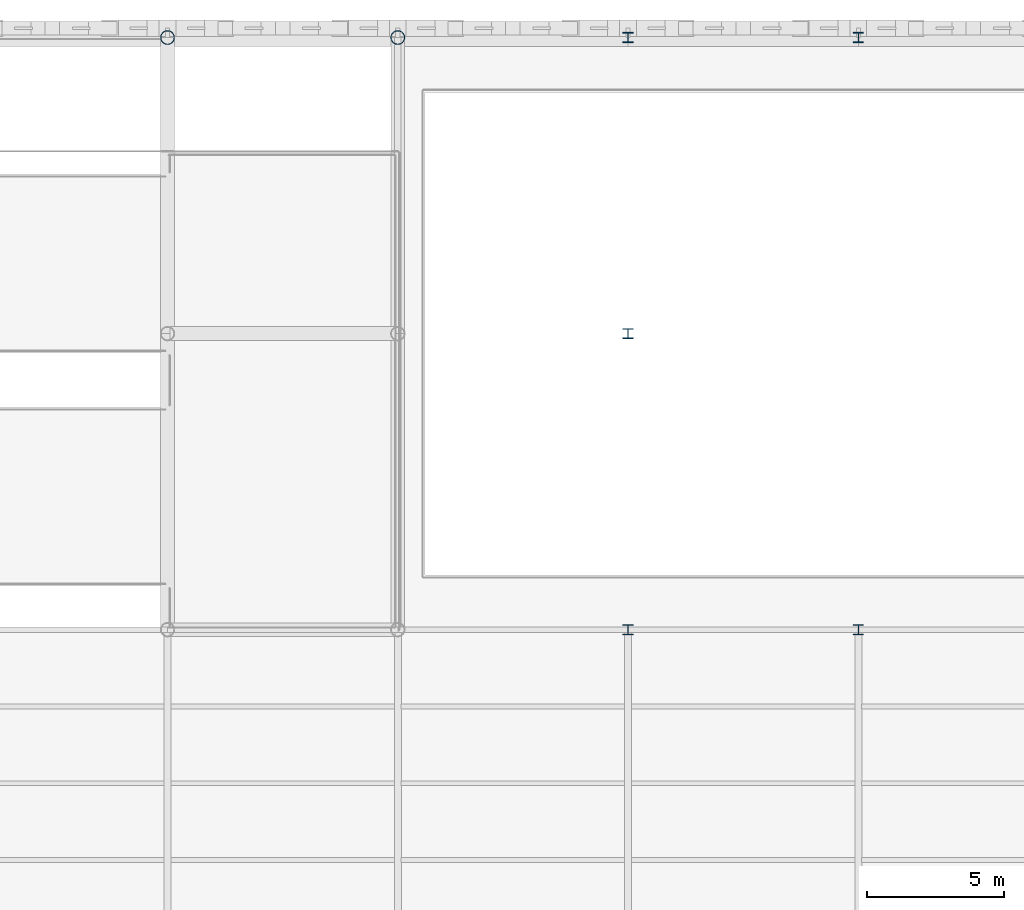
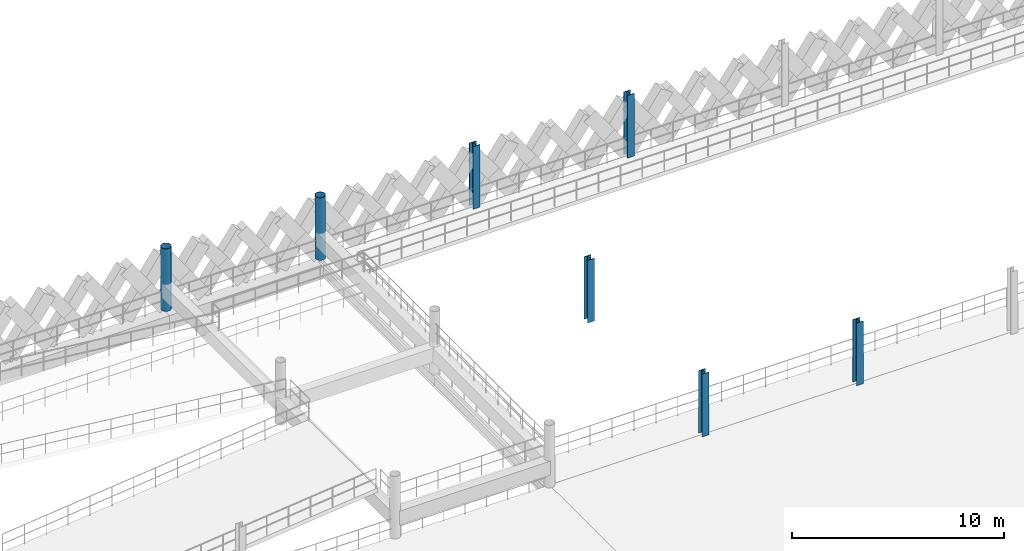
# One storey, part 11 of 74: 7 columns.
"""IFC4 building model written with IfcOpenShell, lengths in metres."""

from ifc_helpers import new_model, si_unit, direction, frame, origin, origin_2d, place, context, subcontext, project, spatial, hollow_circle, i_section, extrude, material, material_profile, profile_set, type_object, element, save


model = new_model("IFC4")

# Units and contexts
model_context = context("Model", 3, precision=1e-05, world=origin(), true_north=direction((0.0, 1.0)))
body_context = subcontext(model_context, "Body", "Model", "MODEL_VIEW")
ifc_project = project(units=[si_unit("LENGTHUNIT", "METRE"), si_unit("AREAUNIT", "SQUARE_METRE"), si_unit("VOLUMEUNIT", "CUBIC_METRE"), si_unit("PLANEANGLEUNIT", "RADIAN"), si_unit("MASSUNIT", "GRAM", prefix="KILO"), si_unit("THERMODYNAMICTEMPERATUREUNIT", "KELVIN"), si_unit("POWERUNIT", "WATT")], contexts=[model_context])

# Site, building, storey
site_placement = place(None, origin())
site = spatial("IfcSite", under=ifc_project, at=site_placement, CompositionType="ELEMENT")
building_placement = place(site_placement, origin())
building = spatial("IfcBuilding", under=site, at=building_placement, Name="Tembeka Court Mobility Hub", CompositionType="ELEMENT")
storey_placement = place(building_placement, frame((0.0, 0.0, 12.60009765625)))
storey = spatial("IfcBuildingStorey", under=building, at=storey_placement, Name="L03", CompositionType="ELEMENT", Elevation=12.60009765625)

# Columns
ifc_material = material(Name="Steel S355", Category="steel")
ifc_material_profile_1 = material_profile(ifc_material, i_section(OverallWidth=0.373046875, OverallDepth=0.367919921875, WebThickness=0.014404296875, FlangeThickness=0.023681640625, FilletRadius=0.01513671875, at=origin_2d()), Name="UKC 356x368x177")
ifc_profile_set_1 = profile_set([ifc_material_profile_1], Name="Steel S355")
column_type_1 = type_object("IfcColumnType", Name="COL-C03", PredefinedType="COLUMN", material=ifc_profile_set_1)
for number, where, z_axis, x_axis, name in (
    (1, (50.39990234375, 97.199951171875, 0.0), (0.0, 0.0, 1.0), (1.0, 0.0, 0.0), "Column C03 (L03-080)"),
    (2, (50.39990234375, 108.0, 0.0), (0.0, 0.0, 1.0), (1.0, 0.0, 0.0), "Column C03 (L03-081)"),
    (3, (50.39990234375, 118.800048828125, 0.0), (0.0, 0.0, 1.0), (1.0, 0.0, 0.0), "Column C03 (L03-082)"),
    (4, (58.800048828125, 97.199951171875, 0.0), (0.0, 0.0, 1.0), (1.0, 0.0, 0.0), "Column C03 (L03-091)"),
    (5, (58.800048828125, 118.800048828125, 0.0), (0.0, 0.0, 1.0), (1.0, 0.0, 0.0), "Column C03 (L03-092)"),
):
    element("IfcColumn", number, at=place(storey_placement, frame(where, z_axis=z_axis, x_axis=x_axis)), inside=storey, type_object=column_type_1, Name=name, PredefinedType="COLUMN", context=body_context, shape_type="SweptSolid", body=[
        extrude(i_section(OverallWidth=0.373046875, OverallDepth=0.367919921875, WebThickness=0.014404296875, FlangeThickness=0.023681640625, FilletRadius=0.01513671875, at=origin_2d()), origin(), (0.0, 0.0, 1.0), 3.599853515625),
    ])
ifc_material_profile_2 = material_profile(ifc_material, hollow_circle(Radius=0.25390625, WallThickness=0.01611328125, at=origin_2d()), Name="CHS 508x16")
ifc_profile_set_2 = profile_set([ifc_material_profile_2], Name="Steel S355")
column_type_2 = type_object("IfcColumnType", Name="COL-C08", PredefinedType="COLUMN", material=ifc_profile_set_2)
for number, where, z_axis, x_axis, name in (
    (6, (33.60009765625, 118.800048828125, 0.0), (0.0, 0.0, 1.0), (1.0, 0.0, 0.0), "Column C08 (L03-058)"),
    (7, (42.0, 118.800048828125, 0.0), (0.0, 0.0, 1.0), (1.0, 0.0, 0.0), "Column C08 (L03-070)"),
):
    element("IfcColumn", number, at=place(storey_placement, frame(where, z_axis=z_axis, x_axis=x_axis)), inside=storey, type_object=column_type_2, Name=name, PredefinedType="COLUMN", context=body_context, shape_type="SweptSolid", body=[
        extrude(hollow_circle(Radius=0.25390625, WallThickness=0.01611328125, at=origin_2d()), origin(), (0.0, 0.0, 1.0), 3.599853515625),
    ])

save(model, "model.ifc")
